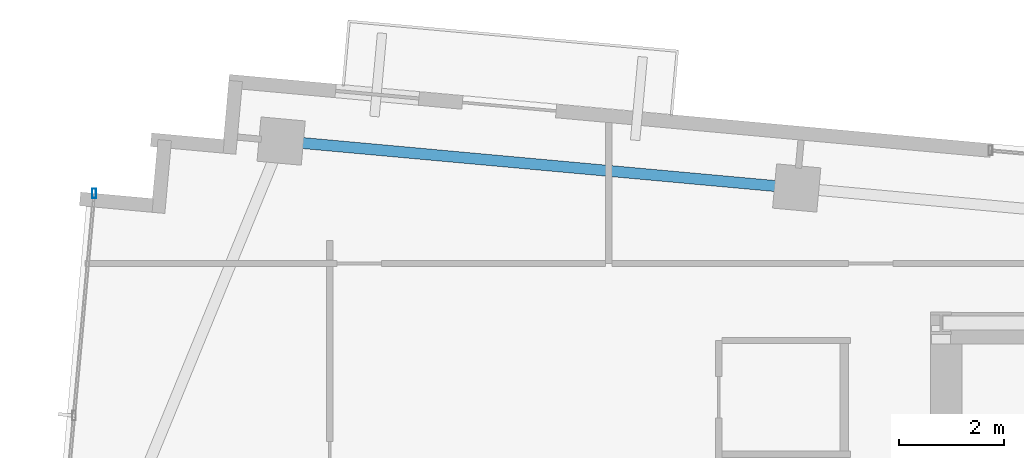
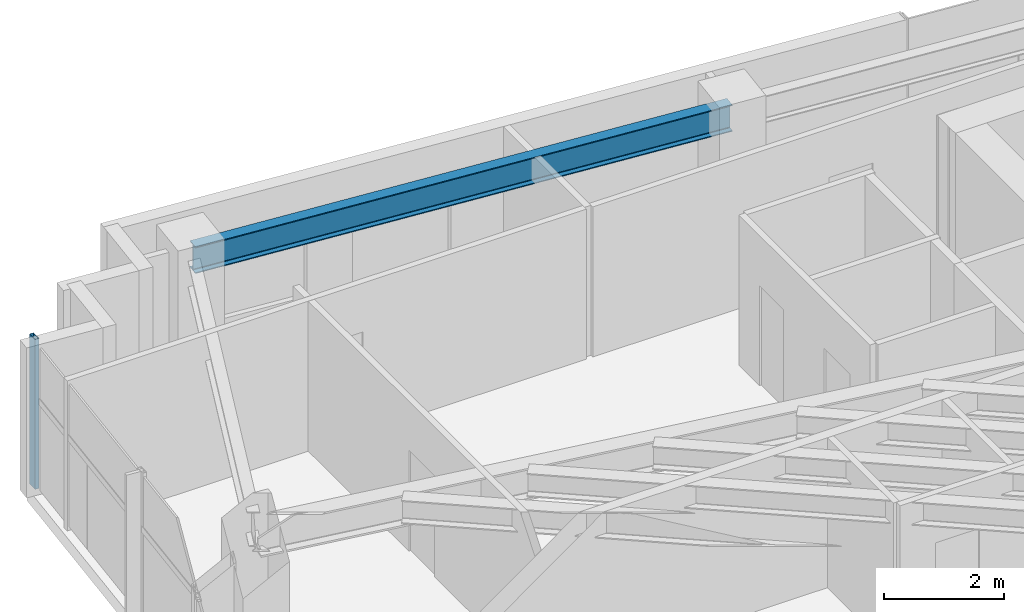
# One storey, part 9 of 22: 1 beam, 1 member, 1 element without a shape of its own.
"""IFC4 building model written with IfcOpenShell, lengths in metres."""

from ifc_helpers import new_model, si_unit, direction, frame, origin, origin_2d, place, context, subcontext, project, spatial, hollow_rectangle, i_section, extrude, source, transform, mapped, material, material_profile, profile_set, type_object, type_shapes, element, aggregate, save


model = new_model("IFC4")

# Units and contexts
model_context = context("Model", 3, precision=1e-05, world=origin(), true_north=direction((0.0, 1.0)))
body_context = subcontext(model_context, "Body", "Model", "MODEL_VIEW")
ifc_project = project(units=[si_unit("LENGTHUNIT", "METRE"), si_unit("AREAUNIT", "SQUARE_METRE"), si_unit("VOLUMEUNIT", "CUBIC_METRE"), si_unit("PLANEANGLEUNIT", "RADIAN"), si_unit("MASSUNIT", "GRAM", prefix="KILO")], contexts=[model_context])

# Site, building, storey
site_placement = place(None, origin())
site = spatial("IfcSite", under=ifc_project, at=site_placement, CompositionType="ELEMENT")
building_placement = place(site_placement, origin())
building = spatial("IfcBuilding", under=site, at=building_placement, Name="Astriad Promenade Condominiums", CompositionType="ELEMENT")
storey_placement = place(building_placement, frame((0.0, 0.0, 229.800048828125)))
storey = spatial("IfcBuildingStorey", under=building, at=storey_placement, Name="L66", CompositionType="ELEMENT", Elevation=229.800048828125)

# Beam
ifc_material_1 = material(Name="Steel ASTM A992 Grade 50", Category="steel")
ifc_material_profile_1 = material_profile(ifc_material_1, i_section(OverallWidth=0.210693359375, OverallDepth=0.53955078125, WebThickness=0.01171875, FlangeThickness=0.018798828125, FilletRadius=0.0166015625, at=origin_2d()), Name="W21X73")
ifc_profile_set_1 = profile_set([ifc_material_profile_1], Name="Steel ASTM A992 Grade 50")
beam_type = type_object("IfcBeamType", Name="STEEL SPANDREL BEAM W21X73", PredefinedType="SPANDREL", material=ifc_profile_set_1)
shared_shape_1 = source(origin(), body_context, "Body", "SweptSolid", [
    extrude(i_section(OverallWidth=0.210693359375, OverallDepth=0.53955078125, WebThickness=0.01171875, FlangeThickness=0.018798828125, FilletRadius=0.0166015625, at=origin_2d()), origin(), (0.0, 0.0, 1.0), 9.820068359375),
])
type_shapes(beam_type, [shared_shape_1])
beam_placement = place(storey_placement, frame((23.6005859375, 26.589111328125, 2.770263671875), z_axis=(-0.995883214993, 0.090645585088, 0.0), x_axis=(-0.090645585088, -0.995883214993, 0.0)))
element("IfcBeam", 1, at=beam_placement, inside=storey, type_object=beam_type, Name="Perimeter Spandrel Beam SP-N1-L66", PredefinedType="SPANDREL", context=body_context, shape_type="MappedRepresentation", body=[
    mapped(shared_shape_1, transform((0.0, 0.0, 0.0), scale=1.0)),
])

# Curtain wall, member
ifc_material_2 = material(Name="Anodised aluminium Black Dark Glass Unitised", Category="aluminium")
curtain_wall_type = type_object("IfcCurtainWallType", Name="CW-B5-DARK", PredefinedType="USERDEFINED", material=ifc_material_2)
curtain_wall_placement = place(storey_placement, origin())
curtain_wall = element("IfcCurtainWall", 2, at=curtain_wall_placement, inside=storey, type_object=curtain_wall_type, Name="CW-L66-W", ObjectType="UNITISED_CURTAIN_WALL", PredefinedType="USERDEFINED")
ifc_material_3 = material(Name="Anodised aluminium 6063-T6 Black", Category="aluminium")
ifc_material_profile_2 = material_profile(ifc_material_3, hollow_rectangle(XDim=0.074951171875, YDim=0.18505859375, WallThickness=0.00439453125, at=origin_2d()), Name="ALU-MUL-75X185")
ifc_profile_set_2 = profile_set([ifc_material_profile_2], Name="Anodised aluminium 6063-T6 Black")
member_type = type_object("IfcMemberType", Name="MUL-ALU-MUL-75X185", PredefinedType="MULLION", material=ifc_profile_set_2)
shared_shape_2 = source(origin(), body_context, "Body", "SweptSolid", [
    extrude(hollow_rectangle(XDim=0.074951171875, YDim=0.18505859375, WallThickness=0.00439453125, at=origin_2d()), origin(), (0.0, 0.0, 1.0), 3.0400390625),
])
type_shapes(member_type, [shared_shape_2])
member_placement = place(storey_placement, frame((10.205810546875, 26.482666015625, 0.0), z_axis=(0.0, 0.0, 1.0), x_axis=(1.0, 0.0, 0.0)))
member = element("IfcMember", 3, at=member_placement, type_object=member_type, Name="CW-L66-W-MUL-03", PredefinedType="MULLION", context=body_context, shape_type="MappedRepresentation", body=[
    mapped(shared_shape_2, transform((0.0, 0.0, 0.0), scale=1.0)),
])
aggregate(curtain_wall, [member])

save(model, "model.ifc")
